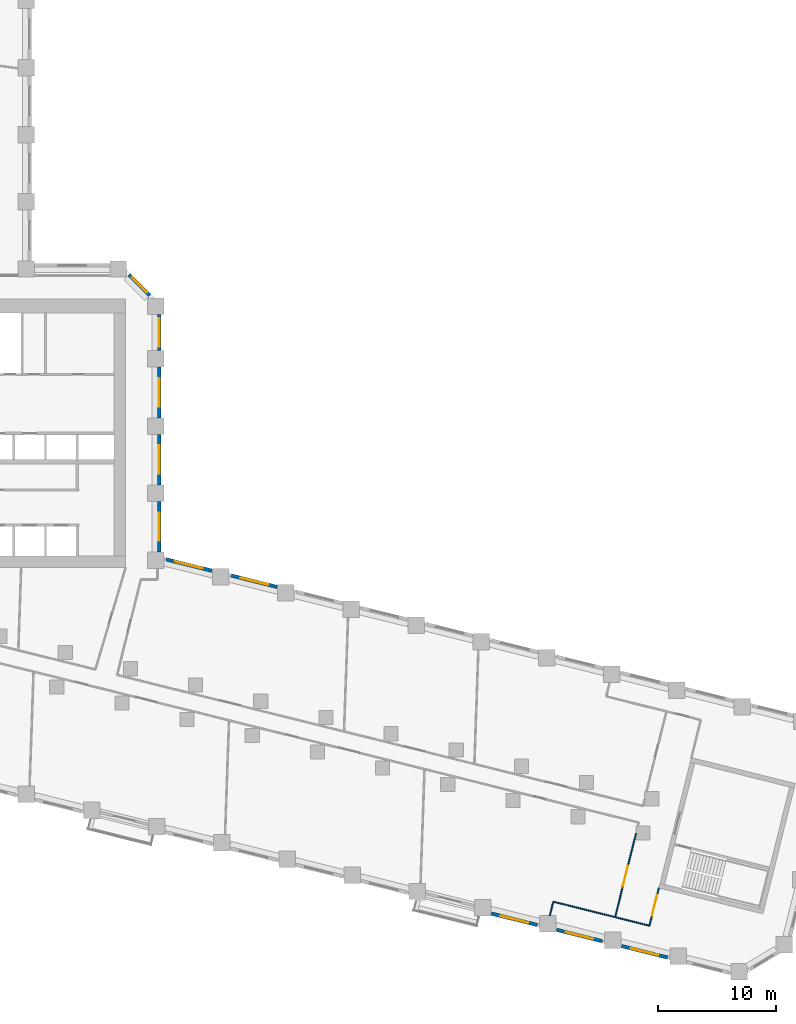
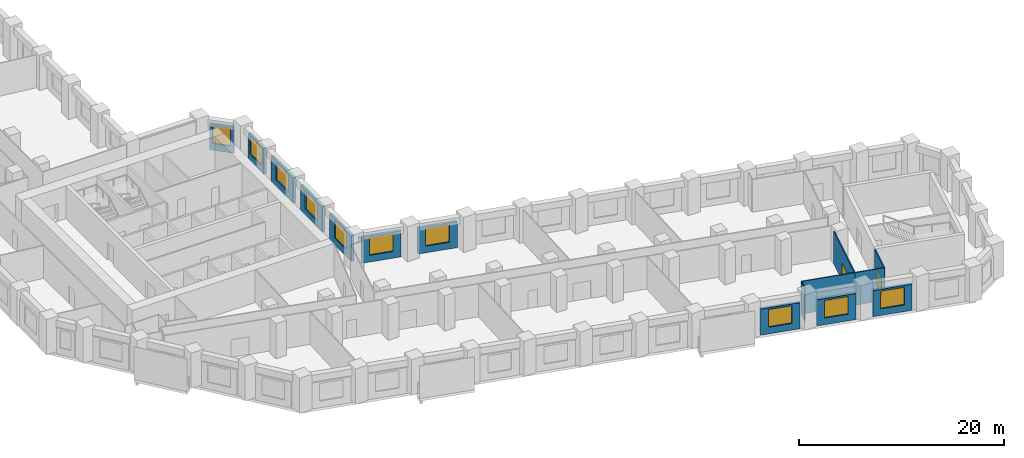
# One storey, part 6 of 11: 15 walls, 10 windows, 2 doors, 12 openings.
"""IFC4 building model written with IfcOpenShell, lengths in metres."""

from ifc_helpers import new_model, si_unit, direction, frame, frame_2d, origin, place, context, subcontext, project, spatial, rectangle, extrude, material, layer, layer_set, type_object, element, fill, save


model = new_model("IFC4")

# Units and contexts
model_context = context("Model", 3, precision=1e-05, world=origin(), true_north=direction((0.0, 1.0)))
body_context = subcontext(model_context, "Body", "Model", "MODEL_VIEW")
ifc_project = project(units=[si_unit("LENGTHUNIT", "METRE"), si_unit("AREAUNIT", "SQUARE_METRE"), si_unit("VOLUMEUNIT", "CUBIC_METRE"), si_unit("PLANEANGLEUNIT", "RADIAN"), si_unit("MASSUNIT", "GRAM", prefix="KILO")], contexts=[model_context])

# Site, building, storey
site_placement = place(None, origin())
site = spatial("IfcSite", under=ifc_project, at=site_placement, CompositionType="ELEMENT")
building_placement = place(site_placement, origin())
building = spatial("IfcBuilding", under=site, at=building_placement, Name="Meshkara Civic Tower", CompositionType="ELEMENT")
storey_placement = place(building_placement, frame((0.0, 0.0, 75.0)))
storey = spatial("IfcBuildingStorey", under=building, at=storey_placement, Name="L16", CompositionType="ELEMENT", Elevation=75.0)

# Wall
ifc_material_1 = material(Name="Corridor wall 100")
ifc_layer_1 = layer(ifc_material_1, 0.10009765625)
ifc_layer_set_1 = layer_set([ifc_layer_1], Name="Corridor wall 100")
wall_type_1 = type_object("IfcWallType", Name="Corridor wall 100", PredefinedType="PARTITIONING", material=ifc_layer_set_1)
wall_1_placement = place(storey_placement, frame((72.35302734375, -15.56591796875, 0.0), z_axis=(0.0, 0.0, 1.0), x_axis=(0.970271610033, -0.242018600037, 0.0)))
element("IfcWall", 1, at=wall_1_placement, inside=storey, type_object=wall_type_1, Name="L16-W025", PredefinedType="PARTITIONING", context=body_context, shape_type="SweptSolid", body=[
    extrude(rectangle(XDim=3.0, YDim=0.10009765625, at=frame_2d((1.5, 0.0))), origin(), (0.0, 0.0, 1.0), 3.89990234375),
])

# Wall, opening, door
wall_2_placement = place(storey_placement, frame((74.131103515625, -8.43701171875, 0.0), z_axis=(0.0, 0.0, 1.0), x_axis=(-0.242003930935, -0.970275268886, 0.0)))
wall_2 = element("IfcWall", 2, at=wall_2_placement, inside=storey, type_object=wall_type_1, Name="L16-W026", PredefinedType="PARTITIONING", context=body_context, shape_type="SweptSolid", body=[
    extrude(rectangle(XDim=7.347412109375, YDim=0.10009765625, at=frame_2d((3.673828125, 0.0))), origin(), (0.0, 0.0, 1.0), 3.89990234375),
])
opening_1_placement = place(wall_2_placement, frame((2.8798828125, 0.0, 0.0)))
opening_1 = element("IfcOpeningElement", 3, at=opening_1_placement, cuts=wall_2, Name="Opening L16-D001", PredefinedType="OPENING", context=body_context, shape_type="SweptSolid", body=[
    extrude(rectangle(XDim=1.800048828125, YDim=2.10009765625, at=frame_2d((0.89990234375, 1.050048828125))), frame((0.0, 0.06005859375, 0.0), z_axis=(0.0, -1.0, 0.0), x_axis=(1.0, 0.0, 0.0)), (0.0, 0.0, 1.0), 0.1201171875),
])
ifc_material_2 = material(Name="Door pair 1800 x 2100")
door_type = type_object("IfcDoorType", Name="Door pair 1800 x 2100", OperationType="SINGLE_SWING_LEFT", PredefinedType="DOOR", material=ifc_material_2)
door_1_placement = place(opening_1_placement, origin())
door_1 = element("IfcDoor", 4, at=door_1_placement, inside=storey, type_object=door_type, Name="L16-D001", OperationType="DOUBLE_DOOR_SINGLE_SWING", OverallHeight=2.10009765625, OverallWidth=1.800048828125, PredefinedType="DOOR", context=body_context, shape_type="SweptSolid", body=[
    extrude(rectangle(XDim=1.800048828125, YDim=2.10009765625, at=frame_2d((0.89990234375, 1.050048828125))), frame((0.0, 0.02490234375, 0.0), z_axis=(0.0, -1.0, 0.0), x_axis=(1.0, 0.0, 0.0)), (0.0, 0.0, 1.0), 0.050048828125),
])
fill(opening_1, door_1)

wall_3_placement = place(storey_placement, frame((75.263916015625, -16.2919921875, 0.0), z_axis=(0.0, 0.0, 1.0), x_axis=(0.242135244173, 0.970242507587, 0.0)))
wall_3 = element("IfcWall", 5, at=wall_3_placement, inside=storey, type_object=wall_type_1, Name="L16-W029", PredefinedType="PARTITIONING", context=body_context, shape_type="SweptSolid", body=[
    extrude(rectangle(XDim=3.300048828125, YDim=0.10009765625, at=frame_2d((1.64990234375, 0.0))), origin(), (0.0, 0.0, 1.0), 3.89990234375),
])
opening_2_placement = place(wall_3_placement, frame((0.8798828125, 0.0, 0.0)))
opening_2 = element("IfcOpeningElement", 6, at=opening_2_placement, cuts=wall_3, Name="Opening L16-D002", PredefinedType="OPENING", context=body_context, shape_type="SweptSolid", body=[
    extrude(rectangle(XDim=1.800048828125, YDim=2.10009765625, at=frame_2d((0.89990234375, 1.050048828125))), frame((0.0, 0.06005859375, 0.0), z_axis=(0.0, -1.0, 0.0), x_axis=(1.0, 0.0, 0.0)), (0.0, 0.0, 1.0), 0.1201171875),
])
door_2_placement = place(opening_2_placement, origin())
door_2 = element("IfcDoor", 7, at=door_2_placement, inside=storey, type_object=door_type, Name="L16-D002", OperationType="DOUBLE_DOOR_SINGLE_SWING", OverallHeight=2.10009765625, OverallWidth=1.800048828125, PredefinedType="DOOR", context=body_context, shape_type="SweptSolid", body=[
    extrude(rectangle(XDim=1.800048828125, YDim=2.10009765625, at=frame_2d((0.89990234375, 1.050048828125))), frame((0.0, 0.02490234375, 0.0), z_axis=(0.0, -1.0, 0.0), x_axis=(1.0, 0.0, 0.0)), (0.0, 0.0, 1.0), 0.050048828125),
])
fill(opening_2, door_2)

# Wall, opening, window
ifc_material_3 = material(Name="Insulated infill panel with bronze anodised aluminium cladding", Category="aluminium")
ifc_layer_2 = layer(ifc_material_3, 0.300048828125)
ifc_layer_set_2 = layer_set([ifc_layer_2], Name="EXTERNAL INFILL WALL 300")
wall_type_2 = type_object("IfcWallType", Name="EXTERNAL INFILL WALL 300", PredefinedType="SOLIDWALL", material=ifc_layer_set_2)
wall_4_placement = place(storey_placement, frame((43.659912109375, 12.4580078125, 0.0), z_axis=(0.0, 0.0, 1.0), x_axis=(-0.970300202301, 0.241903942538, 0.0)))
wall_4 = element("IfcWall", 8, at=wall_4_placement, inside=storey, type_object=wall_type_2, Name="External wall", PredefinedType="SOLIDWALL", context=body_context, shape_type="SweptSolid", body=[
    extrude(rectangle(XDim=4.001708984375, YDim=0.300048828125, at=frame_2d((2.0009765625, 0.0))), origin(), (0.0, 0.0, 1.0), 3.10009765625),
])
opening_3_placement = place(wall_4_placement, frame((0.801025390625, 0.0, 0.800048828125)))
opening_3 = element("IfcOpeningElement", 9, at=opening_3_placement, cuts=wall_4, Name="Opening W7", PredefinedType="OPENING", context=body_context, shape_type="SweptSolid", body=[
    extrude(rectangle(XDim=2.39990234375, YDim=2.10009765625, at=frame_2d((1.199951171875, 1.050048828125))), frame((0.0, 0.159912109375, 0.0), z_axis=(0.0, -1.0, 0.0), x_axis=(1.0, 0.0, 0.0)), (0.0, 0.0, 1.0), 0.320068359375),
])
ifc_material_4 = material(Name="Tinted double glazing", Category="glass")
window_type_1 = type_object("IfcWindowType", Name="WINDOW 2400x2100", PartitioningType="DOUBLE_PANEL_VERTICAL", PredefinedType="WINDOW", material=ifc_material_4)
window_1_placement = place(opening_3_placement, origin())
window_1 = element("IfcWindow", 10, at=window_1_placement, inside=storey, type_object=window_type_1, Name="Window", OverallHeight=2.10009765625, OverallWidth=2.39990234375, PartitioningType="DOUBLE_PANEL_VERTICAL", PredefinedType="WINDOW", context=body_context, shape_type="SweptSolid", body=[
    extrude(rectangle(XDim=2.39990234375, YDim=2.10009765625, at=frame_2d((1.199951171875, 1.050048828125))), frame((0.0, 0.030029296875, 0.0), z_axis=(0.0, -1.0, 0.0), x_axis=(1.0, 0.0, 0.0)), (0.0, 0.0, 1.0), 0.06005859375),
])
fill(opening_3, window_1)

wall_5_placement = place(storey_placement, frame((38.1298828125, 13.8369140625, 0.0), z_axis=(0.0, 0.0, 1.0), x_axis=(-0.970314477803, 0.241846674911, 0.0)))
wall_5 = element("IfcWall", 11, at=wall_5_placement, inside=storey, type_object=wall_type_2, Name="External wall", PredefinedType="SOLIDWALL", context=body_context, shape_type="SweptSolid", body=[
    extrude(rectangle(XDim=4.002685546875, YDim=0.300048828125, at=frame_2d((2.00146484375, 0.0))), origin(), (0.0, 0.0, 1.0), 3.10009765625),
])
opening_4_placement = place(wall_5_placement, frame((0.802001953125, 0.0, 0.800048828125)))
opening_4 = element("IfcOpeningElement", 12, at=opening_4_placement, cuts=wall_5, Name="Opening W7", PredefinedType="OPENING", context=body_context, shape_type="SweptSolid", body=[
    extrude(rectangle(XDim=2.39990234375, YDim=2.10009765625, at=frame_2d((1.199951171875, 1.050048828125))), frame((0.0, 0.159912109375, 0.0), z_axis=(0.0, -1.0, 0.0), x_axis=(1.0, 0.0, 0.0)), (0.0, 0.0, 1.0), 0.320068359375),
])
window_2_placement = place(opening_4_placement, origin())
window_2 = element("IfcWindow", 13, at=window_2_placement, inside=storey, type_object=window_type_1, Name="Window", OverallHeight=2.10009765625, OverallWidth=2.39990234375, PartitioningType="DOUBLE_PANEL_VERTICAL", PredefinedType="WINDOW", context=body_context, shape_type="SweptSolid", body=[
    extrude(rectangle(XDim=2.39990234375, YDim=2.10009765625, at=frame_2d((1.199951171875, 1.050048828125))), frame((0.0, 0.030029296875, 0.0), z_axis=(0.0, -1.0, 0.0), x_axis=(1.0, 0.0, 0.0)), (0.0, 0.0, 1.0), 0.06005859375),
])
fill(opening_4, window_2)

wall_6_placement = place(storey_placement, frame((33.64990234375, 15.4189453125, 0.0), z_axis=(0.0, 0.0, 1.0), x_axis=(0.0, 1.0, 0.0)))
wall_6 = element("IfcWall", 14, at=wall_6_placement, inside=storey, type_object=wall_type_2, Name="External wall", PredefinedType="SOLIDWALL", context=body_context, shape_type="SweptSolid", body=[
    extrude(rectangle(XDim=4.300048828125, YDim=0.300048828125, at=frame_2d((2.14990234375, 0.0))), origin(), (0.0, 0.0, 1.0), 3.10009765625),
])
opening_5_placement = place(wall_6_placement, frame((0.949951171875, 0.0, 0.800048828125)))
opening_5 = element("IfcOpeningElement", 15, at=opening_5_placement, cuts=wall_6, Name="Opening W7", PredefinedType="OPENING", context=body_context, shape_type="SweptSolid", body=[
    extrude(rectangle(XDim=2.39990234375, YDim=2.10009765625, at=frame_2d((1.199951171875, 1.050048828125))), frame((0.0, 0.159912109375, 0.0), z_axis=(0.0, -1.0, 0.0), x_axis=(1.0, 0.0, 0.0)), (0.0, 0.0, 1.0), 0.320068359375),
])
window_3_placement = place(opening_5_placement, origin())
window_3 = element("IfcWindow", 16, at=window_3_placement, inside=storey, type_object=window_type_1, Name="Window", OverallHeight=2.10009765625, OverallWidth=2.39990234375, PartitioningType="DOUBLE_PANEL_VERTICAL", PredefinedType="WINDOW", context=body_context, shape_type="SweptSolid", body=[
    extrude(rectangle(XDim=2.39990234375, YDim=2.10009765625, at=frame_2d((1.199951171875, 1.050048828125))), frame((0.0, 0.030029296875, 0.0), z_axis=(0.0, -1.0, 0.0), x_axis=(1.0, 0.0, 0.0)), (0.0, 0.0, 1.0), 0.06005859375),
])
fill(opening_5, window_3)

wall_7_placement = place(storey_placement, frame((33.64990234375, 21.118896484375, 0.0), z_axis=(0.0, 0.0, 1.0), x_axis=(0.0, 1.0, 0.0)))
wall_7 = element("IfcWall", 17, at=wall_7_placement, inside=storey, type_object=wall_type_2, Name="External wall", PredefinedType="SOLIDWALL", context=body_context, shape_type="SweptSolid", body=[
    extrude(rectangle(XDim=4.300048828125, YDim=0.300048828125, at=frame_2d((2.14990234375, 0.0))), origin(), (0.0, 0.0, 1.0), 3.10009765625),
])
opening_6_placement = place(wall_7_placement, frame((0.949951171875, 0.0, 0.800048828125)))
opening_6 = element("IfcOpeningElement", 18, at=opening_6_placement, cuts=wall_7, Name="Opening W7", PredefinedType="OPENING", context=body_context, shape_type="SweptSolid", body=[
    extrude(rectangle(XDim=2.39990234375, YDim=2.10009765625, at=frame_2d((1.199951171875, 1.050048828125))), frame((0.0, 0.159912109375, 0.0), z_axis=(0.0, -1.0, 0.0), x_axis=(1.0, 0.0, 0.0)), (0.0, 0.0, 1.0), 0.320068359375),
])
window_4_placement = place(opening_6_placement, origin())
window_4 = element("IfcWindow", 19, at=window_4_placement, inside=storey, type_object=window_type_1, Name="Window", OverallHeight=2.10009765625, OverallWidth=2.39990234375, PartitioningType="DOUBLE_PANEL_VERTICAL", PredefinedType="WINDOW", context=body_context, shape_type="SweptSolid", body=[
    extrude(rectangle(XDim=2.39990234375, YDim=2.10009765625, at=frame_2d((1.199951171875, 1.050048828125))), frame((0.0, 0.030029296875, 0.0), z_axis=(0.0, -1.0, 0.0), x_axis=(1.0, 0.0, 0.0)), (0.0, 0.0, 1.0), 0.06005859375),
])
fill(opening_6, window_4)

wall_8_placement = place(storey_placement, frame((33.64990234375, 26.819091796875, 0.0), z_axis=(0.0, 0.0, 1.0), x_axis=(0.0, 1.0, 0.0)))
wall_8 = element("IfcWall", 20, at=wall_8_placement, inside=storey, type_object=wall_type_2, Name="External wall", PredefinedType="SOLIDWALL", context=body_context, shape_type="SweptSolid", body=[
    extrude(rectangle(XDim=4.2998046875, YDim=0.300048828125, at=frame_2d((2.14990234375, 0.0))), origin(), (0.0, 0.0, 1.0), 3.10009765625),
])
opening_7_placement = place(wall_8_placement, frame((0.949951171875, 0.0, 0.800048828125)))
opening_7 = element("IfcOpeningElement", 21, at=opening_7_placement, cuts=wall_8, Name="Opening W7", PredefinedType="OPENING", context=body_context, shape_type="SweptSolid", body=[
    extrude(rectangle(XDim=2.39990234375, YDim=2.10009765625, at=frame_2d((1.199951171875, 1.050048828125))), frame((0.0, 0.159912109375, 0.0), z_axis=(0.0, -1.0, 0.0), x_axis=(1.0, 0.0, 0.0)), (0.0, 0.0, 1.0), 0.320068359375),
])
window_5_placement = place(opening_7_placement, origin())
window_5 = element("IfcWindow", 22, at=window_5_placement, inside=storey, type_object=window_type_1, Name="Window", OverallHeight=2.10009765625, OverallWidth=2.39990234375, PartitioningType="DOUBLE_PANEL_VERTICAL", PredefinedType="WINDOW", context=body_context, shape_type="SweptSolid", body=[
    extrude(rectangle(XDim=2.39990234375, YDim=2.10009765625, at=frame_2d((1.199951171875, 1.050048828125))), frame((0.0, 0.030029296875, 0.0), z_axis=(0.0, -1.0, 0.0), x_axis=(1.0, 0.0, 0.0)), (0.0, 0.0, 1.0), 0.06005859375),
])
fill(opening_7, window_5)

wall_9_placement = place(storey_placement, frame((33.64990234375, 32.51904296875, 0.0), z_axis=(0.0, 0.0, 1.0), x_axis=(0.0, 1.0, 0.0)))
wall_9 = element("IfcWall", 23, at=wall_9_placement, inside=storey, type_object=wall_type_2, Name="External wall", PredefinedType="SOLIDWALL", context=body_context, shape_type="SweptSolid", body=[
    extrude(rectangle(XDim=3.074951171875, YDim=0.300048828125, at=frame_2d((1.53759765625, 0.0))), origin(), (0.0, 0.0, 1.0), 3.10009765625),
])
opening_8_placement = place(wall_9_placement, frame((0.337890625, 0.0, 0.800048828125)))
opening_8 = element("IfcOpeningElement", 24, at=opening_8_placement, cuts=wall_9, Name="Opening W7", PredefinedType="OPENING", context=body_context, shape_type="SweptSolid", body=[
    extrude(rectangle(XDim=2.39990234375, YDim=2.10009765625, at=frame_2d((1.199951171875, 1.050048828125))), frame((0.0, 0.159912109375, 0.0), z_axis=(0.0, -1.0, 0.0), x_axis=(1.0, 0.0, 0.0)), (0.0, 0.0, 1.0), 0.320068359375),
])
window_6_placement = place(opening_8_placement, origin())
window_6 = element("IfcWindow", 25, at=window_6_placement, inside=storey, type_object=window_type_1, Name="Window", OverallHeight=2.10009765625, OverallWidth=2.39990234375, PartitioningType="DOUBLE_PANEL_VERTICAL", PredefinedType="WINDOW", context=body_context, shape_type="SweptSolid", body=[
    extrude(rectangle(XDim=2.39990234375, YDim=2.10009765625, at=frame_2d((1.199951171875, 1.050048828125))), frame((0.0, 0.030029296875, 0.0), z_axis=(0.0, -1.0, 0.0), x_axis=(1.0, 0.0, 0.0)), (0.0, 0.0, 1.0), 0.06005859375),
])
fill(opening_8, window_6)

wall_10_placement = place(storey_placement, frame((32.862060546875, 37.2060546875, 0.0), z_axis=(0.0, 0.0, 1.0), x_axis=(-0.707155935319, 0.707057623637, 0.0)))
wall_10 = element("IfcWall", 26, at=wall_10_placement, inside=storey, type_object=wall_type_2, Name="External wall", PredefinedType="SOLIDWALL", context=body_context, shape_type="SweptSolid", body=[
    extrude(rectangle(XDim=2.4833984375, YDim=0.300048828125, at=frame_2d((1.24169921875, 0.0))), origin(), (0.0, 0.0, 1.0), 3.10009765625),
])
opening_9_placement = place(wall_10_placement, frame((0.342041015625, 0.0, 0.800048828125)))
opening_9 = element("IfcOpeningElement", 27, at=opening_9_placement, cuts=wall_10, Name="Opening W9", PredefinedType="OPENING", context=body_context, shape_type="SweptSolid", body=[
    extrude(rectangle(XDim=1.800048828125, YDim=2.10009765625, at=frame_2d((0.89990234375, 1.050048828125))), frame((0.0, 0.159912109375, 0.0), z_axis=(0.0, -1.0, 0.0), x_axis=(1.0, 0.0, 0.0)), (0.0, 0.0, 1.0), 0.320068359375),
])
ifc_material_5 = material(Name="Tinted double glazing", Category="glass")
window_type_2 = type_object("IfcWindowType", Name="WINDOW 1800x2100", PartitioningType="DOUBLE_PANEL_VERTICAL", PredefinedType="WINDOW", material=ifc_material_5)
window_7_placement = place(opening_9_placement, origin())
window_7 = element("IfcWindow", 28, at=window_7_placement, inside=storey, type_object=window_type_2, Name="Window", OverallHeight=2.10009765625, OverallWidth=1.800048828125, PartitioningType="DOUBLE_PANEL_VERTICAL", PredefinedType="WINDOW", context=body_context, shape_type="SweptSolid", body=[
    extrude(rectangle(XDim=1.800048828125, YDim=2.10009765625, at=frame_2d((0.89990234375, 1.050048828125))), frame((0.0, 0.030029296875, 0.0), z_axis=(0.0, -1.0, 0.0), x_axis=(1.0, 0.0, 0.0)), (0.0, 0.0, 1.0), 0.06005859375),
])
fill(opening_9, window_7)

wall_11_placement = place(storey_placement, frame((61.847900390625, -15.26611328125, 0.0), z_axis=(0.0, 0.0, 1.0), x_axis=(0.970318089187, -0.241832185196, 0.0)))
wall_11 = element("IfcWall", 29, at=wall_11_placement, inside=storey, type_object=wall_type_2, Name="External wall", PredefinedType="SOLIDWALL", context=body_context, shape_type="SweptSolid", body=[
    extrude(rectangle(XDim=4.001953125, YDim=0.300048828125, at=frame_2d((2.0009765625, 0.0))), origin(), (0.0, 0.0, 1.0), 3.10009765625),
])
opening_10_placement = place(wall_11_placement, frame((0.801025390625, 0.0, 0.800048828125)))
opening_10 = element("IfcOpeningElement", 30, at=opening_10_placement, cuts=wall_11, Name="Opening W7", PredefinedType="OPENING", context=body_context, shape_type="SweptSolid", body=[
    extrude(rectangle(XDim=2.39990234375, YDim=2.10009765625, at=frame_2d((1.199951171875, 1.050048828125))), frame((0.0, 0.159912109375, 0.0), z_axis=(0.0, -1.0, 0.0), x_axis=(1.0, 0.0, 0.0)), (0.0, 0.0, 1.0), 0.320068359375),
])
window_8_placement = place(opening_10_placement, origin())
window_8 = element("IfcWindow", 31, at=window_8_placement, inside=storey, type_object=window_type_1, Name="Window", OverallHeight=2.10009765625, OverallWidth=2.39990234375, PartitioningType="DOUBLE_PANEL_VERTICAL", PredefinedType="WINDOW", context=body_context, shape_type="SweptSolid", body=[
    extrude(rectangle(XDim=2.39990234375, YDim=2.10009765625, at=frame_2d((1.199951171875, 1.050048828125))), frame((0.0, 0.030029296875, 0.0), z_axis=(0.0, -1.0, 0.0), x_axis=(1.0, 0.0, 0.0)), (0.0, 0.0, 1.0), 0.06005859375),
])
fill(opening_10, window_8)

wall_12_placement = place(storey_placement, frame((67.3779296875, -16.64404296875, 0.0), z_axis=(0.0, 0.0, 1.0), x_axis=(0.970260773365, -0.242062040951, 0.0)))
wall_12 = element("IfcWall", 32, at=wall_12_placement, inside=storey, type_object=wall_type_2, Name="External wall", PredefinedType="SOLIDWALL", context=body_context, shape_type="SweptSolid", body=[
    extrude(rectangle(XDim=4.003173828125, YDim=0.300048828125, at=frame_2d((2.00146484375, 0.0))), origin(), (0.0, 0.0, 1.0), 3.10009765625),
])
opening_11_placement = place(wall_12_placement, frame((0.802001953125, 0.0, 0.800048828125)))
opening_11 = element("IfcOpeningElement", 33, at=opening_11_placement, cuts=wall_12, Name="Opening W7", PredefinedType="OPENING", context=body_context, shape_type="SweptSolid", body=[
    extrude(rectangle(XDim=2.39990234375, YDim=2.10009765625, at=frame_2d((1.199951171875, 1.050048828125))), frame((0.0, 0.159912109375, 0.0), z_axis=(0.0, -1.0, 0.0), x_axis=(1.0, 0.0, 0.0)), (0.0, 0.0, 1.0), 0.320068359375),
])
window_9_placement = place(opening_11_placement, origin())
window_9 = element("IfcWindow", 34, at=window_9_placement, inside=storey, type_object=window_type_1, Name="Window", OverallHeight=2.10009765625, OverallWidth=2.39990234375, PartitioningType="DOUBLE_PANEL_VERTICAL", PredefinedType="WINDOW", context=body_context, shape_type="SweptSolid", body=[
    extrude(rectangle(XDim=2.39990234375, YDim=2.10009765625, at=frame_2d((1.199951171875, 1.050048828125))), frame((0.0, 0.030029296875, 0.0), z_axis=(0.0, -1.0, 0.0), x_axis=(1.0, 0.0, 0.0)), (0.0, 0.0, 1.0), 0.06005859375),
])
fill(opening_11, window_9)

wall_13_placement = place(storey_placement, frame((72.908935546875, -18.02294921875, 0.0), z_axis=(0.0, 0.0, 1.0), x_axis=(0.970260773365, -0.242062040951, 0.0)))
wall_13 = element("IfcWall", 35, at=wall_13_placement, inside=storey, type_object=wall_type_2, Name="External wall", PredefinedType="SOLIDWALL", context=body_context, shape_type="SweptSolid", body=[
    extrude(rectangle(XDim=4.003173828125, YDim=0.300048828125, at=frame_2d((2.00146484375, 0.0))), origin(), (0.0, 0.0, 1.0), 3.10009765625),
])
opening_12_placement = place(wall_13_placement, frame((0.802001953125, 0.0, 0.800048828125)))
opening_12 = element("IfcOpeningElement", 36, at=opening_12_placement, cuts=wall_13, Name="Opening W7", PredefinedType="OPENING", context=body_context, shape_type="SweptSolid", body=[
    extrude(rectangle(XDim=2.39990234375, YDim=2.10009765625, at=frame_2d((1.199951171875, 1.050048828125))), frame((0.0, 0.159912109375, 0.0), z_axis=(0.0, -1.0, 0.0), x_axis=(1.0, 0.0, 0.0)), (0.0, 0.0, 1.0), 0.320068359375),
])
window_10_placement = place(opening_12_placement, origin())
window_10 = element("IfcWindow", 37, at=window_10_placement, inside=storey, type_object=window_type_1, Name="Window", OverallHeight=2.10009765625, OverallWidth=2.39990234375, PartitioningType="DOUBLE_PANEL_VERTICAL", PredefinedType="WINDOW", context=body_context, shape_type="SweptSolid", body=[
    extrude(rectangle(XDim=2.39990234375, YDim=2.10009765625, at=frame_2d((1.199951171875, 1.050048828125))), frame((0.0, 0.030029296875, 0.0), z_axis=(0.0, -1.0, 0.0), x_axis=(1.0, 0.0, 0.0)), (0.0, 0.0, 1.0), 0.06005859375),
])
fill(opening_12, window_10)

# Walls
ifc_material_6 = material(Name="Partition 100")
ifc_layer_3 = layer(ifc_material_6, 0.10009765625)
ifc_layer_set_3 = layer_set([ifc_layer_3], Name="Partition 100")
wall_type_3 = type_object("IfcWallType", Name="Partition 100", PredefinedType="PARTITIONING", material=ifc_layer_set_3)
wall_14_placement = place(storey_placement, frame((66.802001953125, -15.447998046875, 0.0), z_axis=(0.0, 0.0, 1.0), x_axis=(0.241880858218, 0.970305957123, 0.0)))
element("IfcWall", 38, at=wall_14_placement, inside=storey, type_object=wall_type_3, Name="L16-W051", PredefinedType="PARTITIONING", context=body_context, shape_type="SweptSolid", body=[
    extrude(rectangle(XDim=1.228271484375, YDim=0.10009765625, at=frame_2d((0.6142578125, 0.0))), origin(), (0.0, 0.0, 1.0), 3.89990234375),
])
wall_15_placement = place(storey_placement, frame((67.09912109375, -14.256103515625, 0.0), z_axis=(0.0, 0.0, 1.0), x_axis=(0.970301308755, -0.241899504398, 0.0)))
element("IfcWall", 39, at=wall_15_placement, inside=storey, type_object=wall_type_3, Name="L16-W052", PredefinedType="PARTITIONING", context=body_context, shape_type="SweptSolid", body=[
    extrude(rectangle(XDim=5.418701171875, YDim=0.10009765625, at=frame_2d((2.70947265625, 0.0))), origin(), (0.0, 0.0, 1.0), 3.89990234375),
])

save(model, "model.ifc")
